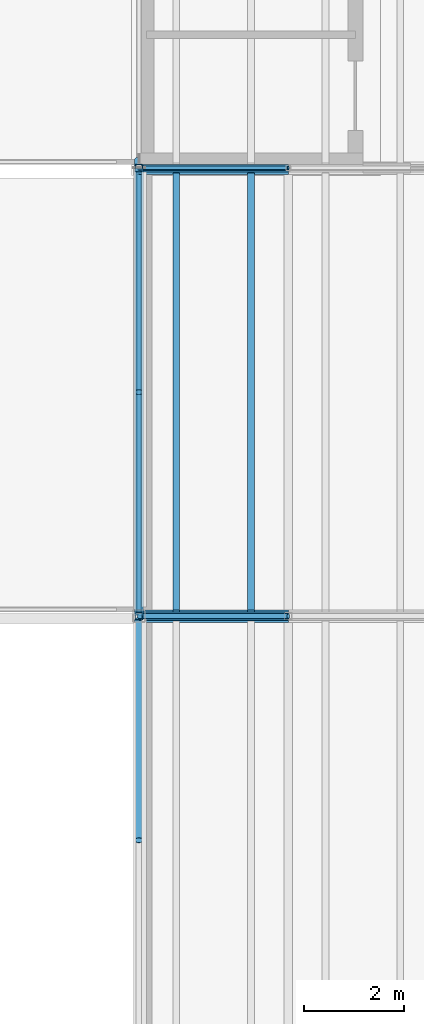
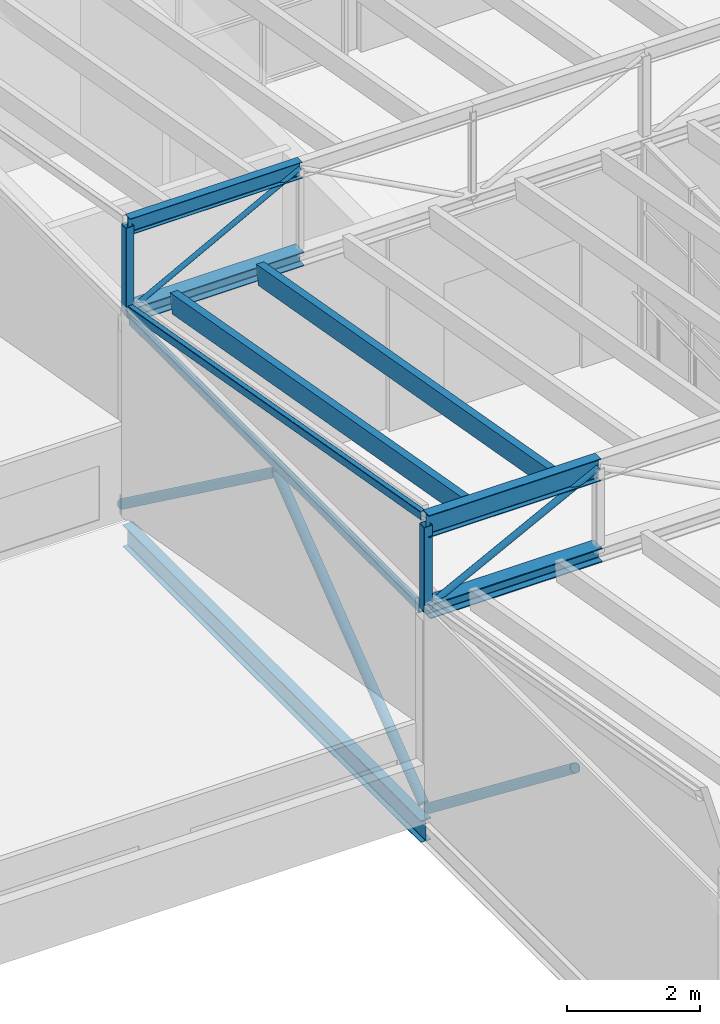
# One storey, part 10 of 44: 15 members, 1 beam.
"""IFC4 building model written with IfcOpenShell, lengths in metres."""

from ifc_helpers import new_model, si_unit, direction, frame, origin, origin_2d, place, context, subcontext, project, spatial, rectangle, hollow_rectangle, hollow_circle, i_section, extrude, material, material_profile, profile_set, type_object, element, save


model = new_model("IFC4")

# Units and contexts
model_context = context("Model", 3, precision=1e-05, world=origin(), true_north=direction((0.0, 1.0)))
body_context = subcontext(model_context, "Body", "Model", "MODEL_VIEW")
ifc_project = project(units=[si_unit("LENGTHUNIT", "METRE"), si_unit("AREAUNIT", "SQUARE_METRE"), si_unit("VOLUMEUNIT", "CUBIC_METRE"), si_unit("PLANEANGLEUNIT", "RADIAN"), si_unit("MASSUNIT", "GRAM", prefix="KILO")], contexts=[model_context])

# Site, building, storey
site_placement = place(None, origin())
site = spatial("IfcSite", under=ifc_project, at=site_placement, CompositionType="ELEMENT")
building_placement = place(site_placement, origin())
building = spatial("IfcBuilding", under=site, at=building_placement, Name="Halyard Row Museum", CompositionType="ELEMENT")
storey_placement = place(building_placement, frame((0.0, 0.0, 21.199951171875)))
storey = spatial("IfcBuildingStorey", under=building, at=storey_placement, Name="L04", CompositionType="ELEMENT", Elevation=21.199951171875)

# Members
ifc_material_1 = material(Name="Steel Grade C350L0", Category="steel")
ifc_material_profile_1 = material_profile(ifc_material_1, hollow_circle(Radius=0.084228515625, WallThickness=0.007080078125, at=origin_2d()), Name="168.3x7.1CHS")
ifc_profile_set_1 = profile_set([ifc_material_profile_1], Name="Steel Grade C350L0")
member_type_1 = type_object("IfcMemberType", Name="Brace 168.3x7.1CHS", PredefinedType="BRACE", material=ifc_profile_set_1)
for number, where, z_axis, x_axis, name in (
    (1, (72.0, 17.925048828125, 0.084228515625), (0.0, -0.790581337963, 0.612357042961), (1.0, 0.0, 0.0), "Brace L04 X72 9-18 B"),
    (2, (72.0, 18.074951171875, 0.084228515625), (0.0, 0.790581337963, 0.612357042961), (-1.0, 0.0, 0.0), "Brace L04 X72 18-27 A"),
):
    element("IfcMember", number, at=place(storey_placement, frame(where, z_axis=z_axis, x_axis=x_axis)), inside=storey, type_object=member_type_1, Name=name, PredefinedType="BRACE", context=body_context, shape_type="SweptSolid", body=[
        extrude(hollow_circle(Radius=0.084228515625, WallThickness=0.007080078125, at=origin_2d()), origin(), (0.0, 0.0, 1.0), 5.59716796875),
    ])
member_1_placement = place(storey_placement, frame((72.0, 27.169921875, 0.084228515625), z_axis=(0.0, -0.806288391424, 0.591522636807), x_axis=(1.0, 0.0, 0.0)))
element("IfcMember", 3, at=member_1_placement, inside=storey, type_object=member_type_1, Name="Brace L04 X72 18-27 B", PredefinedType="BRACE", context=body_context, shape_type="SweptSolid", body=[
    extrude(hollow_circle(Radius=0.084228515625, WallThickness=0.007080078125, at=origin_2d()), origin(), (0.0, 0.0, 1.0), 5.7919921875),
])

# Beam
ifc_material_2 = material(Name="Steel Grade 300", Category="steel")
ifc_material_profile_2 = material_profile(ifc_material_2, i_section(OverallWidth=0.177978515625, OverallDepth=0.402587890625, WebThickness=0.007568359375, FlangeThickness=0.010986328125, FilletRadius=0.011474609375, at=origin_2d()), Name="410UB53.7")
ifc_profile_set_2 = profile_set([ifc_material_profile_2], Name="Steel Grade 300")
beam_type = type_object("IfcBeamType", Name="Edge beam 410UB53.7", PredefinedType="BEAM", material=ifc_profile_set_2)
beam_placement = place(storey_placement, frame((72.0, 18.0, -0.3662109375), z_axis=(0.0, 1.0, 0.0), x_axis=(-1.0, 0.0, 0.0)))
element("IfcBeam", 4, at=beam_placement, inside=storey, type_object=beam_type, Name="Beam L04-020", PredefinedType="BEAM", context=body_context, shape_type="SweptSolid", body=[
    extrude(i_section(OverallWidth=0.177978515625, OverallDepth=0.402587890625, WebThickness=0.007568359375, FlangeThickness=0.010986328125, FilletRadius=0.011474609375, at=origin_2d()), origin(), (0.0, 0.0, 1.0), 9.0),
])

# Members
ifc_material_3 = material(Name="Steel Grade C350L0", Category="steel")
ifc_material_profile_3 = material_profile(ifc_material_3, hollow_rectangle(XDim=0.10009765625, YDim=0.14990234375, WallThickness=0.006103515625, InnerFilletRadius=0.009033203125, OuterFilletRadius=0.014892578125, at=origin_2d()), Name="150x100x6.0RHS")
ifc_profile_set_3 = profile_set([ifc_material_profile_3], Name="Steel Grade C350L0")
member_type_2 = type_object("IfcMemberType", Name="Gable end chord 150x100x6.0RHS", PredefinedType="CHORD", material=ifc_profile_set_3)
member_2_placement = place(storey_placement, frame((72.0, 18.1279296875, 3.647705078125), z_axis=(0.0, 1.0, 0.0), x_axis=(-1.0, 0.0, 0.0)))
element("IfcMember", 5, at=member_2_placement, inside=storey, type_object=member_type_2, Name="V2-GW3 eave chord", PredefinedType="CHORD", context=body_context, shape_type="SweptSolid", body=[
    extrude(hollow_rectangle(XDim=0.10009765625, YDim=0.14990234375, WallThickness=0.006103515625, InnerFilletRadius=0.009033203125, OuterFilletRadius=0.014892578125, at=origin_2d()), origin(), (0.0, 0.0, 1.0), 8.7451171875),
])
ifc_material_4 = material(Name="Steel Grade C350L0", Category="steel")
ifc_material_profile_4 = material_profile(ifc_material_4, hollow_rectangle(XDim=0.10009765625, YDim=0.14990234375, WallThickness=0.006103515625, InnerFilletRadius=0.009033203125, OuterFilletRadius=0.014892578125, at=origin_2d()), Name="150x100x6.0RHS")
ifc_profile_set_4 = profile_set([ifc_material_profile_4], Name="Steel Grade C350L0")
member_type_3 = type_object("IfcMemberType", Name="Gable end rafter 150x100x6.0RHS", PredefinedType="RAFTER", material=ifc_profile_set_4)
member_3_placement = place(storey_placement, frame((72.0, 18.074951171875, 5.390625), z_axis=(0.0, 0.984559907364, -0.175047961461), x_axis=(-1.0, 0.0, 0.0)))
element("IfcMember", 6, at=member_3_placement, inside=storey, type_object=member_type_3, Name="V2-GW3 raking rafter", PredefinedType="RAFTER", context=body_context, shape_type="SweptSolid", body=[
    extrude(hollow_rectangle(XDim=0.10009765625, YDim=0.14990234375, WallThickness=0.006103515625, InnerFilletRadius=0.009033203125, OuterFilletRadius=0.014892578125, at=origin_2d()), origin(), (0.0, 0.0, 1.0), 8.98876953125),
])
ifc_material_5 = material(Name="Glulam GL12 radiata pine", Category="wood")
ifc_material_profile_5 = material_profile(ifc_material_5, rectangle(XDim=0.135009765625, YDim=0.360107421875, at=origin_2d()), Name="GL12 135x360")
ifc_profile_set_5 = profile_set([ifc_material_profile_5], Name="Glulam GL12 radiata pine")
member_type_4 = type_object("IfcMemberType", Name="Rafter GL12 135x360", PredefinedType="RAFTER", material=ifc_profile_set_5)
for number, where, z_axis, x_axis, name in (
    (7, (72.75, 18.089111328125, 5.281494140625), (0.0, 0.98455904933, -0.175052787419), (-1.0, 0.0, 0.0), "Rafter V2-T3a.1"),
    (8, (74.25, 18.089111328125, 5.281494140625), (0.0, 0.98455904933, -0.175052787419), (-1.0, 0.0, 0.0), "Rafter V2-T3a.2"),
):
    element("IfcMember", number, at=place(storey_placement, frame(where, z_axis=z_axis, x_axis=x_axis)), inside=storey, type_object=member_type_4, Name=name, PredefinedType="RAFTER", context=body_context, shape_type="SweptSolid", body=[
        extrude(rectangle(XDim=0.135009765625, YDim=0.360107421875, at=origin_2d()), origin(), (0.0, 0.0, 1.0), 8.921630859375),
    ])
ifc_material_6 = material(Name="Steel Grade 300", Category="steel")
ifc_material_profile_6 = material_profile(ifc_material_6, i_section(OverallWidth=0.25390625, OverallDepth=0.25390625, WebThickness=0.008544921875, FlangeThickness=0.01416015625, FilletRadius=0.013916015625, at=origin_2d()), Name="250UC72.9")
ifc_profile_set_6 = profile_set([ifc_material_profile_6], Name="Steel Grade 300")
member_type_5 = type_object("IfcMemberType", Name="Valley truss bottom chord 250UC72.9", PredefinedType="CHORD", material=ifc_profile_set_6)
member_4_placement = place(storey_placement, frame((72.0, 27.0, 3.72705078125), z_axis=(1.0, 0.0, 0.0), x_axis=(0.0, 1.0, 0.0)))
element("IfcMember", 9, at=member_4_placement, inside=storey, type_object=member_type_5, Name="V2-VT4 bottom chord 1.1", PredefinedType="CHORD", context=body_context, shape_type="SweptSolid", body=[
    extrude(i_section(OverallWidth=0.25390625, OverallDepth=0.25390625, WebThickness=0.008544921875, FlangeThickness=0.01416015625, FilletRadius=0.013916015625, at=origin_2d()), origin(), (0.0, 0.0, 1.0), 3.0),
])
ifc_material_7 = material(Name="Steel Grade 300", Category="steel")
ifc_material_profile_7 = material_profile(ifc_material_7, i_section(OverallWidth=0.256103515625, OverallDepth=0.260009765625, WebThickness=0.010498046875, FlangeThickness=0.017333984375, FilletRadius=0.013916015625, at=origin_2d()), Name="250UC89.5")
ifc_profile_set_7 = profile_set([ifc_material_profile_7], Name="Steel Grade 300")
member_type_6 = type_object("IfcMemberType", Name="Valley truss bottom chord 250UC89.5", PredefinedType="CHORD", material=ifc_profile_set_7)
member_5_placement = place(storey_placement, frame((72.0, 18.0, 3.72998046875), z_axis=(1.0, 0.0, 0.0), x_axis=(0.0, 1.0, 0.0)))
element("IfcMember", 10, at=member_5_placement, inside=storey, type_object=member_type_6, Name="V2-VT3 bottom chord 1.1", PredefinedType="CHORD", context=body_context, shape_type="SweptSolid", body=[
    extrude(i_section(OverallWidth=0.256103515625, OverallDepth=0.260009765625, WebThickness=0.010498046875, FlangeThickness=0.017333984375, FilletRadius=0.013916015625, at=origin_2d()), origin(), (0.0, 0.0, 1.0), 3.0),
])
ifc_material_8 = material(Name="Steel Grade C250L0", Category="steel")
ifc_material_profile_8 = material_profile(ifc_material_8, hollow_circle(Radius=0.05712890625, WallThickness=0.00537109375, at=origin_2d()), Name="114.3x5.4CHS")
ifc_profile_set_8 = profile_set([ifc_material_profile_8], Name="Steel Grade C250L0")
member_type_7 = type_object("IfcMemberType", Name="Valley truss diagonal 114.3x5.4CHS", PredefinedType="BRACE", material=ifc_profile_set_8)
member_6_placement = place(storey_placement, frame((72.0, 18.0, 3.72998046875), z_axis=(0.888803167408, 0.0, 0.458289133195), x_axis=(0.0, 1.0, 0.0)))
element("IfcMember", 11, at=member_6_placement, inside=storey, type_object=member_type_7, Name="V2-VT3 diagonal 1.1", PredefinedType="BRACE", context=body_context, shape_type="SweptSolid", body=[
    extrude(hollow_circle(Radius=0.05712890625, WallThickness=0.00537109375, at=origin_2d()), origin(), (0.0, 0.0, 1.0), 3.375244140625),
])
ifc_material_9 = material(Name="Steel Grade C250L0", Category="steel")
ifc_material_profile_9 = material_profile(ifc_material_9, hollow_circle(Radius=0.04443359375, WallThickness=0.0048828125, at=origin_2d()), Name="88.9x5.0CHS")
ifc_profile_set_9 = profile_set([ifc_material_profile_9], Name="Steel Grade C250L0")
member_type_8 = type_object("IfcMemberType", Name="Valley truss diagonal 88.9x5.0CHS", PredefinedType="BRACE", material=ifc_profile_set_9)
member_7_placement = place(storey_placement, frame((72.0, 27.0, 3.72705078125), z_axis=(0.881863759518, 0.0, 0.471504305016), x_axis=(0.0, 1.0, 0.0)))
element("IfcMember", 12, at=member_7_placement, inside=storey, type_object=member_type_8, Name="V2-VT4 diagonal 1.1", PredefinedType="BRACE", context=body_context, shape_type="SweptSolid", body=[
    extrude(hollow_circle(Radius=0.04443359375, WallThickness=0.0048828125, at=origin_2d()), origin(), (0.0, 0.0, 1.0), 3.40185546875),
])
ifc_material_10 = material(Name="Steel Grade C350L0", Category="steel")
ifc_material_profile_10 = material_profile(ifc_material_10, hollow_rectangle(XDim=0.14990234375, YDim=0.14990234375, WallThickness=0.006103515625, InnerFilletRadius=0.009033203125, OuterFilletRadius=0.014892578125, at=origin_2d()), Name="150x150x6.0SHS")
ifc_profile_set_10 = profile_set([ifc_material_profile_10], Name="Steel Grade C350L0")
member_type_9 = type_object("IfcMemberType", Name="Valley truss post 150x150x6.0SHS", PredefinedType="POST", material=ifc_profile_set_10)
member_8_placement = place(storey_placement, frame((72.0, 18.0, 3.72998046875), z_axis=(0.0, 0.0, 1.0), x_axis=(1.0, 0.0, 0.0)))
element("IfcMember", 13, at=member_8_placement, inside=storey, type_object=member_type_9, Name="V2-VT3 post 1.0", PredefinedType="POST", context=body_context, shape_type="SweptSolid", body=[
    extrude(hollow_rectangle(XDim=0.14990234375, YDim=0.14990234375, WallThickness=0.006103515625, InnerFilletRadius=0.009033203125, OuterFilletRadius=0.014892578125, at=origin_2d()), origin(), (0.0, 0.0, 1.0), 1.546875),
])
member_9_placement = place(storey_placement, frame((72.0, 27.0, 3.72705078125), z_axis=(0.0, 0.0, 1.0), x_axis=(1.0, 0.0, 0.0)))
element("IfcMember", 14, at=member_9_placement, inside=storey, type_object=member_type_9, Name="V2-VT4 post 1.0", PredefinedType="POST", context=body_context, shape_type="SweptSolid", body=[
    extrude(hollow_rectangle(XDim=0.14990234375, YDim=0.14990234375, WallThickness=0.006103515625, InnerFilletRadius=0.009033203125, OuterFilletRadius=0.014892578125, at=origin_2d()), origin(), (0.0, 0.0, 1.0), 1.60400390625),
])
ifc_material_11 = material(Name="Steel Grade 300", Category="steel")
ifc_material_profile_11 = material_profile(ifc_material_11, i_section(OverallWidth=0.14892578125, OverallDepth=0.298095703125, WebThickness=0.005615234375, FlangeThickness=0.008056640625, FilletRadius=0.012939453125, at=origin_2d()), Name="310UB32.0")
ifc_profile_set_11 = profile_set([ifc_material_profile_11], Name="Steel Grade 300")
member_type_10 = type_object("IfcMemberType", Name="Valley truss top chord 310UB32.0", PredefinedType="CHORD", material=ifc_profile_set_11)
member_10_placement = place(storey_placement, frame((72.0, 27.0, 5.3310546875), z_axis=(1.0, 0.0, 0.0), x_axis=(0.0, 1.0, 0.0)))
element("IfcMember", 15, at=member_10_placement, inside=storey, type_object=member_type_10, Name="V2-VT4 top chord 1.1", PredefinedType="CHORD", context=body_context, shape_type="SweptSolid", body=[
    extrude(i_section(OverallWidth=0.14892578125, OverallDepth=0.298095703125, WebThickness=0.005615234375, FlangeThickness=0.008056640625, FilletRadius=0.012939453125, at=origin_2d()), origin(), (0.0, 0.0, 1.0), 3.0),
])
ifc_material_12 = material(Name="Steel Grade 300", Category="steel")
ifc_material_profile_12 = material_profile(ifc_material_12, i_section(OverallWidth=0.177978515625, OverallDepth=0.406494140625, WebThickness=0.0078125, FlangeThickness=0.0126953125, FilletRadius=0.011474609375, at=origin_2d()), Name="410UB59.7")
ifc_profile_set_12 = profile_set([ifc_material_profile_12], Name="Steel Grade 300")
member_type_11 = type_object("IfcMemberType", Name="Valley truss top chord 410UB59.7", PredefinedType="CHORD", material=ifc_profile_set_12)
member_11_placement = place(storey_placement, frame((72.0, 18.0, 5.27685546875), z_axis=(1.0, 0.0, 0.0), x_axis=(0.0, 1.0, 0.0)))
element("IfcMember", 16, at=member_11_placement, inside=storey, type_object=member_type_11, Name="V2-VT3 top chord 1.1", PredefinedType="CHORD", context=body_context, shape_type="SweptSolid", body=[
    extrude(i_section(OverallWidth=0.177978515625, OverallDepth=0.406494140625, WebThickness=0.0078125, FlangeThickness=0.0126953125, FilletRadius=0.011474609375, at=origin_2d()), origin(), (0.0, 0.0, 1.0), 3.0),
])

save(model, "model.ifc")
